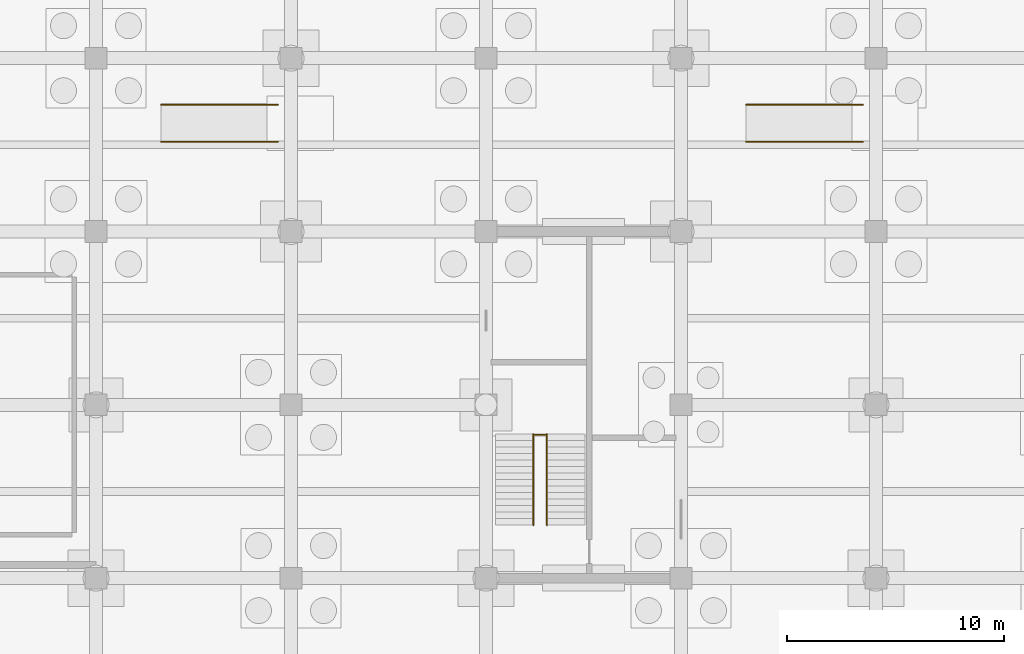
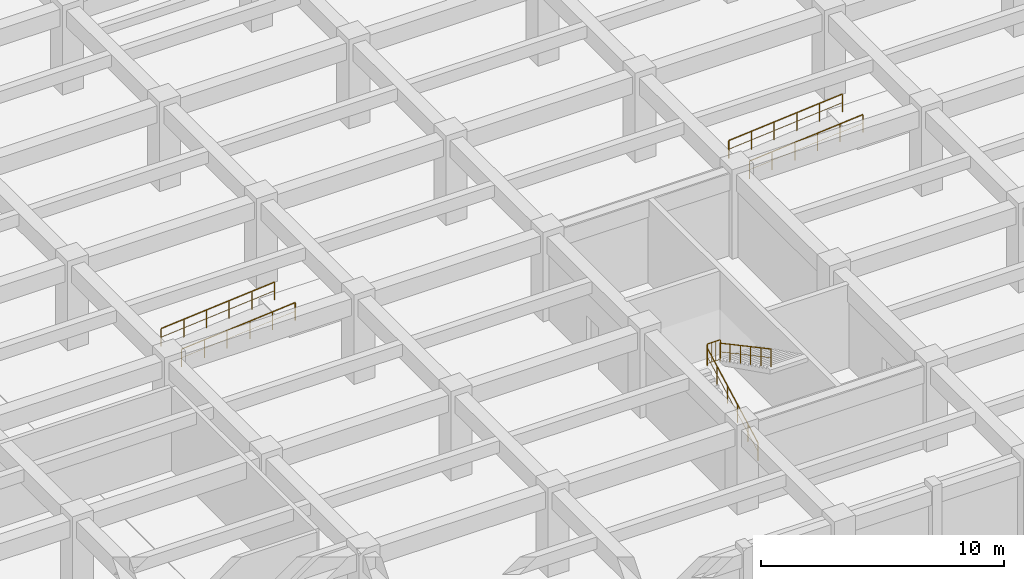
# One storey, part 28 of 31: 7 railings.
"""IFC4 building model written with IfcOpenShell, lengths in metres."""

import ifcopenshell
import ifcopenshell.guid

model = None  # the IFC model being written
_history = None  # IfcOwnerHistory: only IFC2X3 demands one
_inside = {}  # id of a spatial element -> (the spatial element, [elements in it])
_under = {}  # id of a project, library or spatial element -> (it, [spatial elements below it])
_declared = {}  # id of a project -> (the project, [libraries it declares])
_typed = {}  # id of a type object -> (the type object, [elements of that type])
_made_of = {}  # id of a material, layer set ... -> (it, [elements and type objects made of it])


def new_model(schema):
    """Start an empty IFC model of exactly this schema.

    Asked for "IFC4X3", IfcOpenShell would pick the latest addendum, in which some entities
    have other attributes; the version numbers below select the first issue.
    IFC2X3 requires an IfcOwnerHistory on every rooted entity: one is made here for all.
    """
    global model, _history
    if schema == "IFC4X3":
        model = ifcopenshell.file(schema_version=(4, 3, 0, 0))
    else:
        model = ifcopenshell.file(schema=schema)
    _inside.clear()
    _under.clear()
    _declared.clear()
    _typed.clear()
    _made_of.clear()
    _history = None
    if model.schema == "IFC2X3":
        org = make("IfcOrganization", Name="unknown")
        user = make(
            "IfcPersonAndOrganization",
            ThePerson=make("IfcPerson", FamilyName="unknown"),
            TheOrganization=org,
        )
        app = make(
            "IfcApplication",
            ApplicationDeveloper=org,
            Version="unknown",
            ApplicationFullName="unknown",
            ApplicationIdentifier="unknown",
        )
        _history = make(
            "IfcOwnerHistory",
            OwningUser=user,
            OwningApplication=app,
            ChangeAction="ADDED",
            CreationDate=0,
        )
    return model


def make(cls, **values):
    """One entity of the class cls with the attributes given. An attribute that is None is left unset."""
    return model.create_entity(
        cls, **{name: value for name, value in values.items() if value is not None}
    )


def rooted(cls, **values):
    """An entity with a GlobalId (a new one), such as an element, a storey or a relation."""
    return make(cls, GlobalId=ifcopenshell.guid.new(), OwnerHistory=_history, **values)


def si_unit(unit_type, name, prefix=None):
    """IfcSIUnit, for example si_unit("LENGTHUNIT", "METRE", prefix="MILLI")."""
    return make("IfcSIUnit", UnitType=unit_type, Prefix=prefix, Name=name)


def assignment(units):
    """IfcUnitAssignment: the units of a project."""
    return None if units is None else make("IfcUnitAssignment", Units=units)


def point(xyz):
    """IfcCartesianPoint."""
    return None if xyz is None else make("IfcCartesianPoint", Coordinates=xyz)


def direction(xyz):
    """IfcDirection."""
    return None if xyz is None else make("IfcDirection", DirectionRatios=xyz)


def frame(location, z_axis=None, x_axis=None):
    """IfcAxis2Placement3D, a coordinate frame: its origin and axes. An axis left out is left unset."""
    return make(
        "IfcAxis2Placement3D",
        Location=point(location),
        Axis=direction(z_axis),
        RefDirection=direction(x_axis),
    )


def frame_2d(location, x_axis=None):
    """IfcAxis2Placement2D, a coordinate frame in the plane: its origin and x axis."""
    return make(
        "IfcAxis2Placement2D", Location=point(location), RefDirection=direction(x_axis)
    )


def origin():
    """The frame at (0, 0, 0) with its axes left unset."""
    return frame((0.0, 0.0, 0.0))


def origin_2d():
    """The frame at (0, 0) in the plane with its x axis left unset."""
    return frame_2d((0.0, 0.0))


def place(relative_to, where):
    """IfcLocalPlacement: puts the frame where relative to a parent placement (None: the world)."""
    return make(
        "IfcLocalPlacement", PlacementRelTo=relative_to, RelativePlacement=where
    )


def context(
    kind, dimensions, precision=None, world=None, true_north=None, identifier=None
):
    """IfcGeometricRepresentationContext, for example the 3D "Model" context."""
    return make(
        "IfcGeometricRepresentationContext",
        ContextIdentifier=identifier,
        ContextType=kind,
        CoordinateSpaceDimension=dimensions,
        Precision=precision,
        WorldCoordinateSystem=world,
        TrueNorth=true_north,
    )


def subcontext(parent, identifier, kind, view, scale=None):
    """IfcGeometricRepresentationSubContext, for example "Body" below "Model"."""
    return make(
        "IfcGeometricRepresentationSubContext",
        ContextIdentifier=identifier,
        ContextType=kind,
        ParentContext=parent,
        TargetScale=scale,
        TargetView=view,
    )


def project(units=None, contexts=None):
    """IfcProject with its units and contexts."""
    return rooted(
        "IfcProject",
        Name="project",
        RepresentationContexts=contexts,
        UnitsInContext=assignment(units),
    )


def spatial(cls, under=None, at=None, **own):
    """A site, building, storey or space (cls), placed at a placement, below another one or the project."""
    s = rooted(cls, ObjectPlacement=at, **own)
    if under is not None:
        _under.setdefault(under.id(), (under, []))[1].append(s)
    return s


def profile(cls, at=None, kind="AREA", **sizes):
    """A parametric profile (cls). Its sizes go by their IFC names, for example OverallWidth=200.0."""
    return make(cls, ProfileType=kind, Position=at, **sizes)


def circle(**sizes):
    """IfcCircleProfileDef."""
    return profile("IfcCircleProfileDef", **sizes)


def extrude(swept, where, along, depth):
    """IfcExtrudedAreaSolid: the profile swept, set in the frame where, extruded along a direction by depth."""
    return make(
        "IfcExtrudedAreaSolid",
        SweptArea=swept,
        Position=where,
        ExtrudedDirection=direction(along),
        Depth=depth,
    )


def shape(context_of_items, identifier, shape_type, items):
    """IfcShapeRepresentation: the items that make up one representation, for example the "Body"."""
    return make(
        "IfcShapeRepresentation",
        ContextOfItems=context_of_items,
        RepresentationIdentifier=identifier,
        RepresentationType=shape_type,
        Items=items,
    )


def material(Name=None, Category=None):
    """IfcMaterial."""
    return make("IfcMaterial", Name=Name, Category=Category)


def layer(
    of_material, thickness, ventilated=None, Name=None, Category=None, Priority=None
):
    """IfcMaterialLayer: one layer of a wall or slab, of a material (None: an air gap)."""
    return make(
        "IfcMaterialLayer",
        Material=of_material,
        LayerThickness=thickness,
        IsVentilated=ventilated,
        Name=Name,
        Category=Category,
        Priority=Priority,
    )


def layer_set(layers, Name=None):
    """IfcMaterialLayerSet."""
    return make("IfcMaterialLayerSet", MaterialLayers=layers, LayerSetName=Name)


def made_of(thing, what):
    """Note that an element or type object is made of a material, layer set ...; save() writes the relation."""
    if what is not None:
        _made_of.setdefault(what.id(), (what, []))[1].append(thing)
    return thing


def type_object(cls, material=None, **own):
    """A type object (cls), such as IfcWallType, which elements share."""
    return made_of(rooted(cls, **own), material)


def element(
    cls,
    number,
    at=None,
    inside=None,
    cuts=None,
    type_object=None,
    material=None,
    context=None,
    identifier="Body",
    shape_type=None,
    held_by="IfcProductDefinitionShape",
    body=None,
    shapes=None,
    **own,
):
    """One element of the class cls, such as IfcWall. Its Tag is "e" and its number.

    at: its placement. inside: the storey or other place that contains it. cuts: it is an
    opening in that element (IfcRelVoidsElement). A single representation is given by context,
    identifier, shape_type and body (its items); several are given by shapes. held_by: the class
    of the entity that holds the representations. save() writes the other relations.
    """
    e = rooted(cls, Tag="e%d" % number, ObjectPlacement=at, **own)
    if body is not None:
        shapes = [shape(context, identifier, shape_type, body)]
    if shapes is not None:
        e.Representation = make(held_by, Representations=shapes)
    if inside is not None:
        _inside.setdefault(inside.id(), (inside, []))[1].append(e)
    if cuts is not None:
        rooted(
            "IfcRelVoidsElement", RelatingBuildingElement=cuts, RelatedOpeningElement=e
        )
    if type_object is not None:
        _typed.setdefault(type_object.id(), (type_object, []))[1].append(e)
    return made_of(e, material)


def aggregate(whole, parts):
    """IfcRelAggregates: a whole, such as a stair, and the parts it consists of."""
    return rooted("IfcRelAggregates", RelatingObject=whole, RelatedObjects=parts)


def save(model, path):
    """Write the relations noted so far, then the file.

    IfcRelAggregates (storeys below a building ...), IfcRelContainedInSpatialStructure (elements
    in a storey), IfcRelDefinesByType, IfcRelAssociatesMaterial and IfcRelDeclares: one each for
    every whole, place, type object, material and project.
    """
    for whole, parts in _under.values():
        aggregate(whole, parts)
    for where, things in _inside.values():
        rooted(
            "IfcRelContainedInSpatialStructure",
            RelatedElements=things,
            RelatingStructure=where,
        )
    for kind, things in _typed.values():
        rooted("IfcRelDefinesByType", RelatedObjects=things, RelatingType=kind)
    for what, things in _made_of.values():
        rooted("IfcRelAssociatesMaterial", RelatedObjects=things, RelatingMaterial=what)
    for by, libraries in _declared.values():
        rooted("IfcRelDeclares", RelatingContext=by, RelatedDefinitions=libraries)
    model.write(path)


model = new_model("IFC4")

# Units and contexts
model_context = context("Model", 3, precision=1e-05, world=origin(), true_north=direction((0.0, 1.0)))
body_context = subcontext(model_context, "Body", "Model", "MODEL_VIEW")
ifc_project = project(units=[si_unit("LENGTHUNIT", "METRE"), si_unit("AREAUNIT", "SQUARE_METRE"), si_unit("VOLUMEUNIT", "CUBIC_METRE"), si_unit("PLANEANGLEUNIT", "RADIAN"), si_unit("MASSUNIT", "GRAM", prefix="KILO")], contexts=[model_context])

# Site, building, storey
site_placement = place(None, origin())
site = spatial("IfcSite", under=ifc_project, at=site_placement, CompositionType="ELEMENT")
building_placement = place(site_placement, origin())
building = spatial("IfcBuilding", under=site, at=building_placement, Name="Zaverband Oceanarium and Marine Research Institute", CompositionType="ELEMENT")
storey_placement = place(building_placement, frame((0.0, 0.0, -9.0)))
storey = spatial("IfcBuildingStorey", under=building, at=storey_placement, Name="B2", CompositionType="ELEMENT", Elevation=-9.0)

# Railings
ifc_material = material(Name="Steel S355", Category="steel")
ifc_layer_1 = layer(ifc_material, 0.06005859375, Name="Steel S355")
ifc_layer_set_1 = layer_set([ifc_layer_1], Name="Steel S355")
railing_type_1 = type_object("IfcRailingType", Name="GRD-1100", PredefinedType="BALUSTRADE", material=ifc_layer_set_1)
railing_1_placement = place(storey_placement, frame((83.18994140625, 14.6298828125, 2.25)))
element("IfcRailing", 1, at=railing_1_placement, inside=storey, type_object=railing_type_1, Name="1100 mm steel post-and-baluster safety guard GRD-1100", PredefinedType="BALUSTRADE", context=body_context, shape_type="SweptSolid", body=[
    extrude(circle(Radius=0.02392578125, at=origin_2d()), frame((0.0, 0.0, 1.076171875), z_axis=(1.0, 0.0, 0.0), x_axis=(0.0, 1.0, 0.0)), (0.0, 0.0, 1.0), 0.6201171875),
    extrude(circle(Radius=0.009033203125, at=origin_2d()), frame((0.0, 0.0, 0.10009765625), z_axis=(1.0, 0.0, 0.0), x_axis=(0.0, 1.0, 0.0)), (0.0, 0.0, 1.0), 0.6201171875),
    extrude(circle(Radius=0.009033203125, at=origin_2d()), frame((0.206787109375, 0.0, 0.10009765625)), (0.0, 0.0, 1.0), 0.951904296875),
    extrude(circle(Radius=0.009033203125, at=origin_2d()), frame((0.413330078125, 0.0, 0.10009765625)), (0.0, 0.0, 1.0), 0.951904296875),
    extrude(circle(Radius=0.02099609375, at=origin_2d()), origin(), (0.0, 0.0, 1.0), 1.052001953125),
    extrude(circle(Radius=0.02099609375, at=origin_2d()), frame((0.6201171875, 0.0, 0.0)), (0.0, 0.0, 1.0), 1.052001953125),
])
ifc_layer_2 = layer(ifc_material, 0.050048828125, Name="Steel S355")
ifc_layer_set_2 = layer_set([ifc_layer_2], Name="Steel S355")
railing_type_2 = type_object("IfcRailingType", Name="HR-920", PredefinedType="HANDRAIL", material=ifc_layer_set_2)
railing_2_placement = place(storey_placement, frame((83.18994140625, 10.449951171875, 0.0)))
element("IfcRailing", 2, at=railing_2_placement, inside=storey, type_object=railing_type_2, Name="920 mm continuous tubular stair and ramp handrail HR-920", PredefinedType="HANDRAIL", context=body_context, shape_type="SweptSolid", body=[
    extrude(circle(Radius=0.02392578125, at=origin_2d()), frame((0.0, 0.0, 0.89599609375), z_axis=(0.0, 0.881477684796, 0.472225678258), x_axis=(-1.0, 0.0, 0.0)), (0.0, 0.0, 1.0), 4.7646484375),
    extrude(circle(Radius=0.009033203125, at=origin_2d()), frame((0.0, 0.0, 0.4599609375), z_axis=(0.0, 0.881477684796, 0.472225678258), x_axis=(-1.0, 0.0, 0.0)), (0.0, 0.0, 1.0), 4.7646484375),
    extrude(circle(Radius=0.02099609375, at=origin_2d()), origin(), (0.0, 0.0, 1.0), 0.871826171875),
    extrude(circle(Radius=0.02099609375, at=origin_2d()), frame((0.0, 0.840087890625, 0.449951171875)), (0.0, 0.0, 1.0), 0.871826171875),
    extrude(circle(Radius=0.02099609375, at=origin_2d()), frame((0.0, 1.679931640625, 0.89990234375)), (0.0, 0.0, 1.0), 0.871826171875),
    extrude(circle(Radius=0.02099609375, at=origin_2d()), frame((0.0, 2.52001953125, 1.35009765625)), (0.0, 0.0, 1.0), 0.871826171875),
    extrude(circle(Radius=0.02099609375, at=origin_2d()), frame((0.0, 3.35986328125, 1.800048828125)), (0.0, 0.0, 1.0), 0.871826171875),
    extrude(circle(Radius=0.02099609375, at=origin_2d()), frame((0.0, 4.199951171875, 2.25)), (0.0, 0.0, 1.0), 0.871826171875),
])
railing_3_placement = place(storey_placement, frame((83.81005859375, 14.64990234375, 2.25)))
element("IfcRailing", 3, at=railing_3_placement, inside=storey, type_object=railing_type_2, Name="920 mm continuous tubular stair and ramp handrail HR-920", PredefinedType="HANDRAIL", context=body_context, shape_type="SweptSolid", body=[
    extrude(circle(Radius=0.02392578125, at=origin_2d()), frame((0.0, 0.0, 0.89599609375), z_axis=(0.0, -0.881477684796, 0.472225678258), x_axis=(1.0, 0.0, 0.0)), (0.0, 0.0, 1.0), 4.7646484375),
    extrude(circle(Radius=0.009033203125, at=origin_2d()), frame((0.0, 0.0, 0.4599609375), z_axis=(0.0, -0.881477684796, 0.472225678258), x_axis=(1.0, 0.0, 0.0)), (0.0, 0.0, 1.0), 4.7646484375),
    extrude(circle(Radius=0.02099609375, at=origin_2d()), origin(), (0.0, 0.0, 1.0), 0.871826171875),
    extrude(circle(Radius=0.02099609375, at=origin_2d()), frame((0.0, -0.840087890625, 0.449951171875)), (0.0, 0.0, 1.0), 0.871826171875),
    extrude(circle(Radius=0.02099609375, at=origin_2d()), frame((0.0, -1.679931640625, 0.89990234375)), (0.0, 0.0, 1.0), 0.871826171875),
    extrude(circle(Radius=0.02099609375, at=origin_2d()), frame((0.0, -2.52001953125, 1.35009765625)), (0.0, 0.0, 1.0), 0.871826171875),
    extrude(circle(Radius=0.02099609375, at=origin_2d()), frame((0.0, -3.35986328125, 1.800048828125)), (0.0, 0.0, 1.0), 0.871826171875),
    extrude(circle(Radius=0.02099609375, at=origin_2d()), frame((0.0, -4.199951171875, 2.25)), (0.0, 0.0, 1.0), 0.871826171875),
])
for number, where, name in (
    (4, (66.0, 29.85009765625, 0.0), "920 mm continuous tubular stair and ramp handrail HR-920"),
    (5, (66.0, 28.14990234375, 0.0), "920 mm continuous tubular stair and ramp handrail HR-920"),
    (6, (93.0, 29.85009765625, 0.0), "920 mm continuous tubular stair and ramp handrail HR-920"),
    (7, (93.0, 28.14990234375, 0.0), "920 mm continuous tubular stair and ramp handrail HR-920"),
):
    element("IfcRailing", number, at=place(storey_placement, frame(where)), inside=storey, type_object=railing_type_2, Name=name, PredefinedType="HANDRAIL", context=body_context, shape_type="SweptSolid", body=[
        extrude(circle(Radius=0.02392578125, at=origin_2d()), frame((0.0, 0.0, 0.89599609375), z_axis=(0.996546379678, 0.0, 0.083038022323), x_axis=(0.0, 1.0, 0.0)), (0.0, 0.0, 1.0), 5.418701171875),
        extrude(circle(Radius=0.009033203125, at=origin_2d()), frame((0.0, 0.0, 0.4599609375), z_axis=(0.996546379678, 0.0, 0.083038022323), x_axis=(0.0, 1.0, 0.0)), (0.0, 0.0, 1.0), 5.418701171875),
        extrude(circle(Radius=0.02099609375, at=origin_2d()), origin(), (0.0, 0.0, 1.0), 0.871826171875),
        extrude(circle(Radius=0.02099609375, at=origin_2d()), frame((1.080078125, 0.0, 0.090087890625)), (0.0, 0.0, 1.0), 0.871826171875),
        extrude(circle(Radius=0.02099609375, at=origin_2d()), frame((2.159912109375, 0.0, 0.179931640625)), (0.0, 0.0, 1.0), 0.871826171875),
        extrude(circle(Radius=0.02099609375, at=origin_2d()), frame((3.239990234375, 0.0, 0.27001953125)), (0.0, 0.0, 1.0), 0.871826171875),
        extrude(circle(Radius=0.02099609375, at=origin_2d()), frame((4.31982421875, 0.0, 0.35986328125)), (0.0, 0.0, 1.0), 0.871826171875),
        extrude(circle(Radius=0.02099609375, at=origin_2d()), frame((5.39990234375, 0.0, 0.449951171875)), (0.0, 0.0, 1.0), 0.871826171875),
    ])

save(model, "model.ifc")
